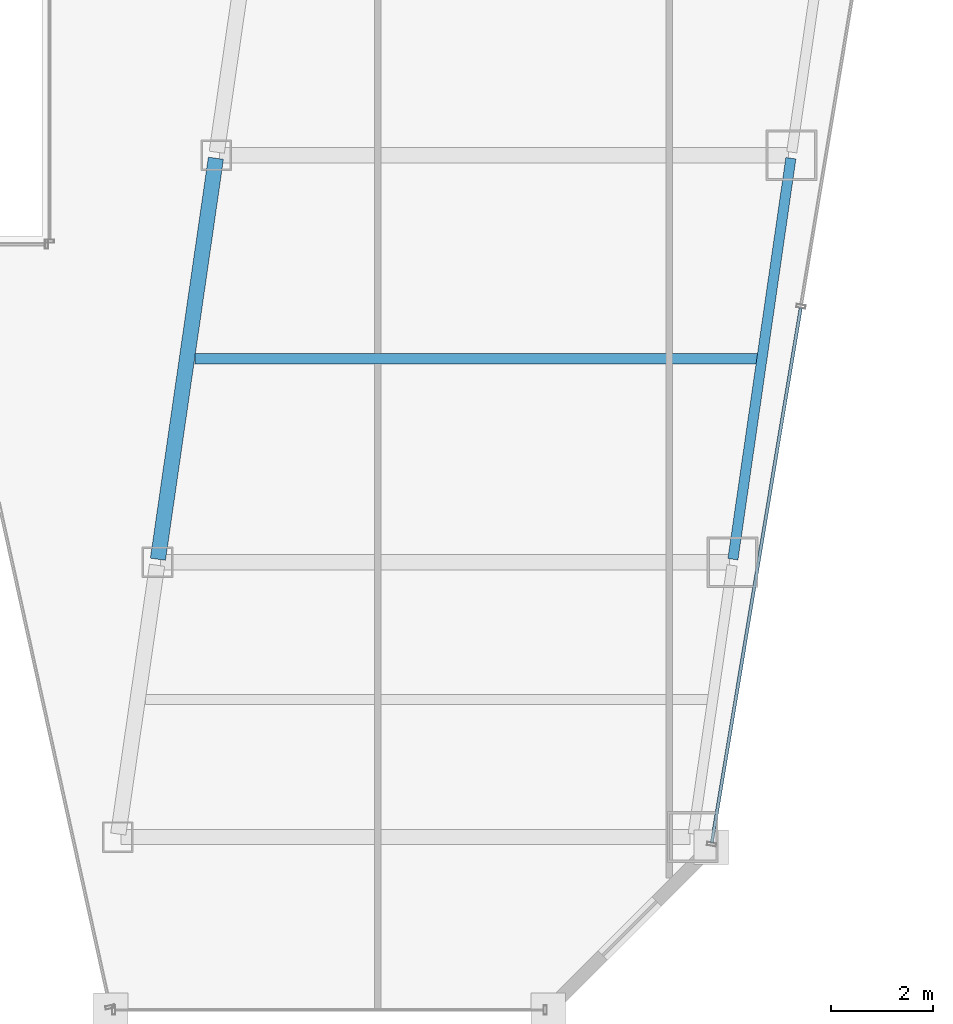
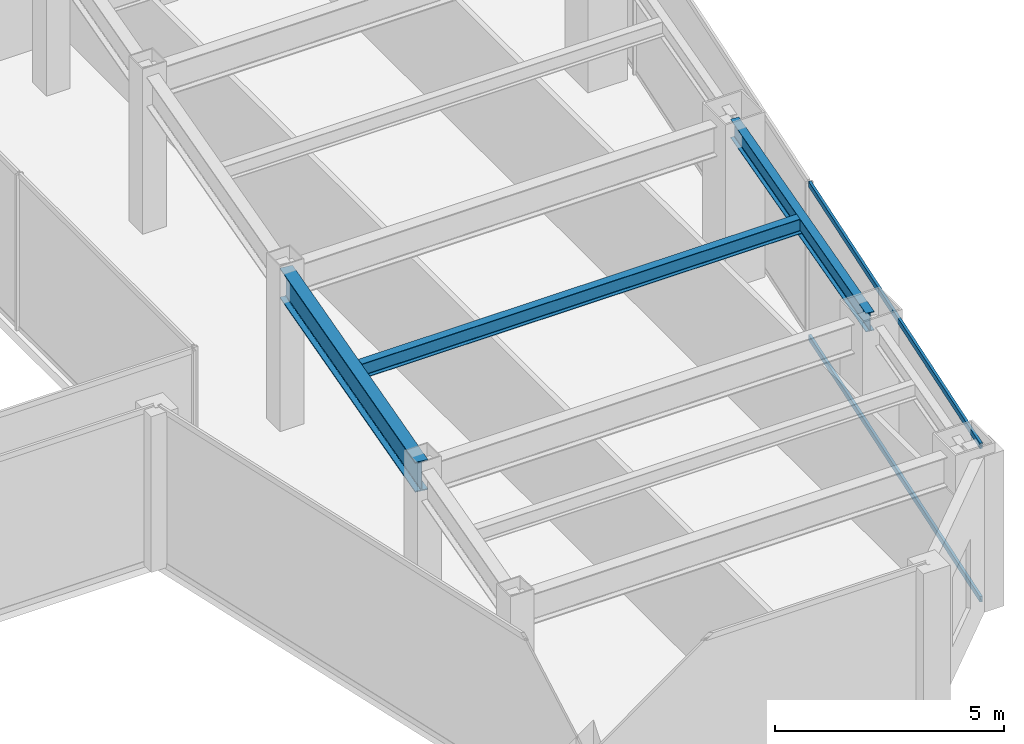
# One storey, part 16 of 37: 3 beams, 2 members, 1 element without a shape of its own.
"""IFC4 building model written with IfcOpenShell, lengths in metres."""

from ifc_helpers import new_model, si_unit, direction, frame, origin, origin_2d, place, context, subcontext, project, spatial, hollow_rectangle, i_section, extrude, material, material_profile, profile_set, type_object, element, aggregate, save


model = new_model("IFC4")

# Units and contexts
model_context = context("Model", 3, precision=1e-05, world=origin(), true_north=direction((0.0, 1.0)))
body_context = subcontext(model_context, "Body", "Model", "MODEL_VIEW")
ifc_project = project(units=[si_unit("LENGTHUNIT", "METRE"), si_unit("AREAUNIT", "SQUARE_METRE"), si_unit("VOLUMEUNIT", "CUBIC_METRE"), si_unit("PLANEANGLEUNIT", "RADIAN"), si_unit("MASSUNIT", "GRAM", prefix="KILO")], contexts=[model_context])

# Site, building, storey
site_placement = place(None, origin())
site = spatial("IfcSite", under=ifc_project, at=site_placement, CompositionType="ELEMENT")
building_placement = place(site_placement, origin())
building = spatial("IfcBuilding", under=site, at=building_placement, Name="Saevonmaru Cultural Tower", CompositionType="ELEMENT")
storey_placement = place(building_placement, frame((0.0, 0.0, 114.800048828125)))
storey = spatial("IfcBuildingStorey", under=building, at=storey_placement, Name="L24", CompositionType="ELEMENT", Elevation=114.800048828125)

# Beams
ifc_material_1 = material(Name="Steel SM420", Category="steel")
ifc_material_profile_1 = material_profile(ifc_material_1, i_section(OverallWidth=0.300048828125, OverallDepth=0.800048828125, WebThickness=0.013916015625, FlangeThickness=0.02587890625, FilletRadius=0.028076171875, at=origin_2d()), Name="H-800x300x14x26")
ifc_profile_set_1 = profile_set([ifc_material_profile_1], Name="Steel SM420")
beam_type_1 = type_object("IfcBeamType", Name="BM-G-H800", PredefinedType="BEAM", material=ifc_profile_set_1)
beam_1_placement = place(storey_placement, frame((38.08056640625, 16.059326171875, 3.75), z_axis=(0.143022161059, 0.989719486241, 0.0), x_axis=(-0.989719486241, 0.143022161059, 0.0)))
element("IfcBeam", 1, at=beam_1_placement, inside=storey, type_object=beam_type_1, Name="L24 East Atrium Girder 2", PredefinedType="BEAM", context=body_context, shape_type="SweptSolid", body=[
    extrude(i_section(OverallWidth=0.300048828125, OverallDepth=0.800048828125, WebThickness=0.013916015625, FlangeThickness=0.02587890625, FilletRadius=0.028076171875, at=origin_2d()), origin(), (0.0, 0.0, 1.0), 7.963134765625),
])
ifc_material_2 = material(Name="Steel SM355", Category="steel")
ifc_material_profile_2 = material_profile(ifc_material_2, i_section(OverallWidth=0.199951171875, OverallDepth=0.39990234375, WebThickness=0.008056640625, FlangeThickness=0.012939453125, FilletRadius=0.01611328125, at=origin_2d()), Name="H-400x200x8x13")
ifc_profile_set_2 = profile_set([ifc_material_profile_2], Name="Steel SM355")
beam_type_2 = type_object("IfcBeamType", Name="BM-J-H400", PredefinedType="JOIST", material=ifc_profile_set_2)
beam_2_placement = place(storey_placement, frame((38.80810546875, 20.0, 3.949951171875), z_axis=(1.0, 0.0, 0.0), x_axis=(0.0, 1.0, 0.0)))
element("IfcBeam", 2, at=beam_2_placement, inside=storey, type_object=beam_type_2, Name="L24 East Wing Floor Joist 2", PredefinedType="JOIST", context=body_context, shape_type="SweptSolid", body=[
    extrude(i_section(OverallWidth=0.199951171875, OverallDepth=0.39990234375, WebThickness=0.008056640625, FlangeThickness=0.012939453125, FilletRadius=0.01611328125, at=origin_2d()), origin(), (0.0, 0.0, 1.0), 11.081787109375),
])
ifc_material_profile_3 = material_profile(ifc_material_2, i_section(OverallWidth=0.199951171875, OverallDepth=0.5, WebThickness=0.010009765625, FlangeThickness=0.01611328125, FilletRadius=0.02001953125, at=origin_2d()), Name="H-500x200x10x16")
ifc_profile_set_3 = profile_set([ifc_material_profile_3], Name="Steel SM355")
beam_type_3 = type_object("IfcBeamType", Name="BM-SP-H500", PredefinedType="SPANDREL", material=ifc_profile_set_3)
beam_3_placement = place(storey_placement, frame((49.380615234375, 16.059326171875, 3.89990234375), z_axis=(0.142992129437, 0.989723825579, 0.0), x_axis=(-0.989723825579, 0.142992129437, 0.0)))
element("IfcBeam", 3, at=beam_3_placement, inside=storey, type_object=beam_type_3, Name="L24 East Splayed Spandrel 2", PredefinedType="SPANDREL", context=body_context, shape_type="SweptSolid", body=[
    extrude(i_section(OverallWidth=0.199951171875, OverallDepth=0.5, WebThickness=0.010009765625, FlangeThickness=0.01611328125, FilletRadius=0.02001953125, at=origin_2d()), origin(), (0.0, 0.0, 1.0), 7.963134765625),
])

# Curtain wall, members
ifc_material_3 = material(Name="Satin Bronze Anodised Aluminium", Category="aluminium")
curtain_wall_type = type_object("IfcCurtainWallType", Name="CW-TYP-A", PredefinedType="NOTDEFINED", material=ifc_material_3)
curtain_wall_placement = place(storey_placement, origin())
curtain_wall = element("IfcCurtainWall", 4, at=curtain_wall_placement, inside=storey, type_object=curtain_wall_type, Name="L24 Unitised Curtain Wall E8", PredefinedType="NOTDEFINED")
ifc_material_profile_4 = material_profile(ifc_material_3, hollow_rectangle(XDim=0.06494140625, YDim=0.14990234375, WallThickness=0.00390625, at=origin_2d()), Name="ALU-TRAN-150x65x4")
ifc_profile_set_4 = profile_set([ifc_material_profile_4], Name="Satin Bronze Anodised Aluminium")
member_type = type_object("IfcMemberType", Name="TR-CW-150x65", PredefinedType="USERDEFINED", material=ifc_profile_set_4)
member_1_placement = place(storey_placement, frame((48.96630859375, 10.4912109375, 0.032470703125), z_axis=(0.163990079074, 0.9864619881, 0.0), x_axis=(-0.9864619881, 0.163990079074, 0.0)))
member_1 = element("IfcMember", 5, at=member_1_placement, type_object=member_type, Name="CW-TW-L24-E8 transom 1.1", ObjectType="TRANSOM", PredefinedType="USERDEFINED", context=body_context, shape_type="SweptSolid", body=[
    extrude(hollow_rectangle(XDim=0.06494140625, YDim=0.14990234375, WallThickness=0.00390625, at=origin_2d()), origin(), (0.0, 0.0, 1.0), 10.650634765625),
])
member_2_placement = place(storey_placement, frame((48.96630859375, 10.4912109375, 4.117431640625), z_axis=(0.163990079074, 0.9864619881, 0.0), x_axis=(-0.9864619881, 0.163990079074, 0.0)))
member_2 = element("IfcMember", 6, at=member_2_placement, type_object=member_type, Name="CW-TW-L24-E8 transom 1.2", ObjectType="TRANSOM", PredefinedType="USERDEFINED", context=body_context, shape_type="SweptSolid", body=[
    extrude(hollow_rectangle(XDim=0.06494140625, YDim=0.14990234375, WallThickness=0.00390625, at=origin_2d()), origin(), (0.0, 0.0, 1.0), 10.650634765625),
])
aggregate(curtain_wall, [member_1, member_2])

save(model, "model.ifc")
